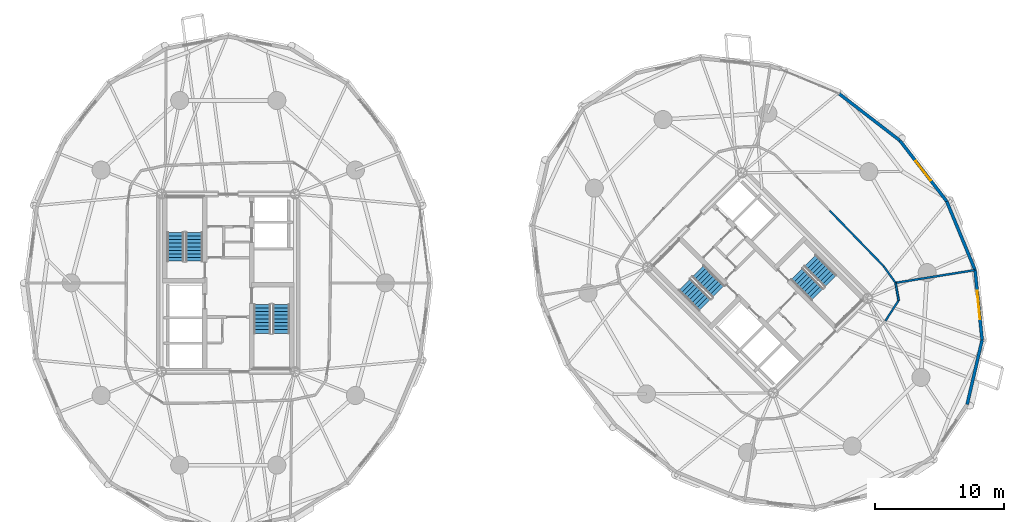
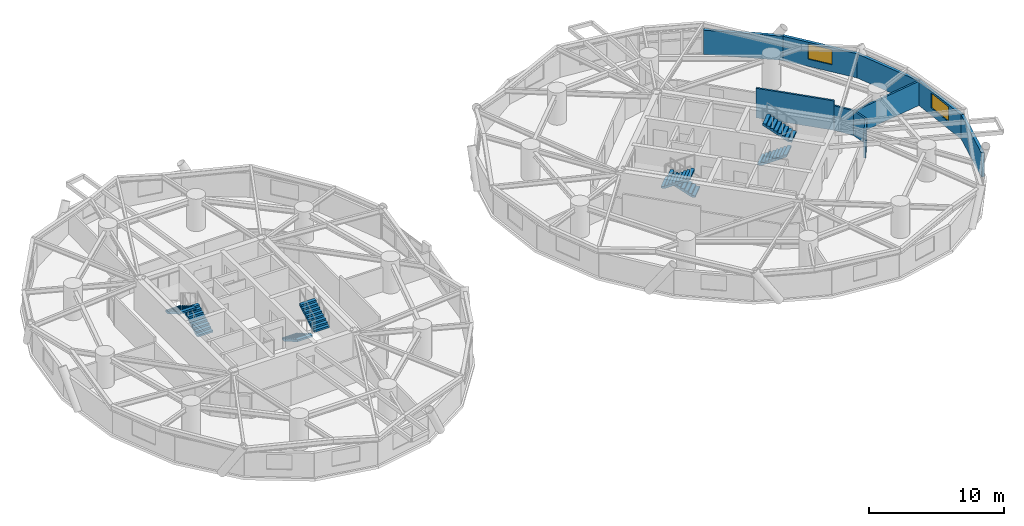
# One storey, part 14 of 16: 10 walls, 8 stair flights, 2 windows, 2 openings, 4 elements without a shape of their own.
"""IFC4 building model written with IfcOpenShell, lengths in metres."""

import ifcopenshell
import ifcopenshell.guid

model = None  # the IFC model being written
_history = None  # IfcOwnerHistory: only IFC2X3 demands one
_inside = {}  # id of a spatial element -> (the spatial element, [elements in it])
_under = {}  # id of a project, library or spatial element -> (it, [spatial elements below it])
_declared = {}  # id of a project -> (the project, [libraries it declares])
_typed = {}  # id of a type object -> (the type object, [elements of that type])
_made_of = {}  # id of a material, layer set ... -> (it, [elements and type objects made of it])


def new_model(schema):
    """Start an empty IFC model of exactly this schema.

    Asked for "IFC4X3", IfcOpenShell would pick the latest addendum, in which some entities
    have other attributes; the version numbers below select the first issue.
    IFC2X3 requires an IfcOwnerHistory on every rooted entity: one is made here for all.
    """
    global model, _history
    if schema == "IFC4X3":
        model = ifcopenshell.file(schema_version=(4, 3, 0, 0))
    else:
        model = ifcopenshell.file(schema=schema)
    _inside.clear()
    _under.clear()
    _declared.clear()
    _typed.clear()
    _made_of.clear()
    _history = None
    if model.schema == "IFC2X3":
        org = make("IfcOrganization", Name="unknown")
        user = make(
            "IfcPersonAndOrganization",
            ThePerson=make("IfcPerson", FamilyName="unknown"),
            TheOrganization=org,
        )
        app = make(
            "IfcApplication",
            ApplicationDeveloper=org,
            Version="unknown",
            ApplicationFullName="unknown",
            ApplicationIdentifier="unknown",
        )
        _history = make(
            "IfcOwnerHistory",
            OwningUser=user,
            OwningApplication=app,
            ChangeAction="ADDED",
            CreationDate=0,
        )
    return model


def make(cls, **values):
    """One entity of the class cls with the attributes given. An attribute that is None is left unset."""
    return model.create_entity(
        cls, **{name: value for name, value in values.items() if value is not None}
    )


def rooted(cls, **values):
    """An entity with a GlobalId (a new one), such as an element, a storey or a relation."""
    return make(cls, GlobalId=ifcopenshell.guid.new(), OwnerHistory=_history, **values)


def si_unit(unit_type, name, prefix=None):
    """IfcSIUnit, for example si_unit("LENGTHUNIT", "METRE", prefix="MILLI")."""
    return make("IfcSIUnit", UnitType=unit_type, Prefix=prefix, Name=name)


def assignment(units):
    """IfcUnitAssignment: the units of a project."""
    return None if units is None else make("IfcUnitAssignment", Units=units)


def point(xyz):
    """IfcCartesianPoint."""
    return None if xyz is None else make("IfcCartesianPoint", Coordinates=xyz)


def direction(xyz):
    """IfcDirection."""
    return None if xyz is None else make("IfcDirection", DirectionRatios=xyz)


def frame(location, z_axis=None, x_axis=None):
    """IfcAxis2Placement3D, a coordinate frame: its origin and axes. An axis left out is left unset."""
    return make(
        "IfcAxis2Placement3D",
        Location=point(location),
        Axis=direction(z_axis),
        RefDirection=direction(x_axis),
    )


def frame_2d(location, x_axis=None):
    """IfcAxis2Placement2D, a coordinate frame in the plane: its origin and x axis."""
    return make(
        "IfcAxis2Placement2D", Location=point(location), RefDirection=direction(x_axis)
    )


def origin():
    """The frame at (0, 0, 0) with its axes left unset."""
    return frame((0.0, 0.0, 0.0))


def place(relative_to, where):
    """IfcLocalPlacement: puts the frame where relative to a parent placement (None: the world)."""
    return make(
        "IfcLocalPlacement", PlacementRelTo=relative_to, RelativePlacement=where
    )


def context(
    kind, dimensions, precision=None, world=None, true_north=None, identifier=None
):
    """IfcGeometricRepresentationContext, for example the 3D "Model" context."""
    return make(
        "IfcGeometricRepresentationContext",
        ContextIdentifier=identifier,
        ContextType=kind,
        CoordinateSpaceDimension=dimensions,
        Precision=precision,
        WorldCoordinateSystem=world,
        TrueNorth=true_north,
    )


def subcontext(parent, identifier, kind, view, scale=None):
    """IfcGeometricRepresentationSubContext, for example "Body" below "Model"."""
    return make(
        "IfcGeometricRepresentationSubContext",
        ContextIdentifier=identifier,
        ContextType=kind,
        ParentContext=parent,
        TargetScale=scale,
        TargetView=view,
    )


def project(units=None, contexts=None):
    """IfcProject with its units and contexts."""
    return rooted(
        "IfcProject",
        Name="project",
        RepresentationContexts=contexts,
        UnitsInContext=assignment(units),
    )


def spatial(cls, under=None, at=None, **own):
    """A site, building, storey or space (cls), placed at a placement, below another one or the project."""
    s = rooted(cls, ObjectPlacement=at, **own)
    if under is not None:
        _under.setdefault(under.id(), (under, []))[1].append(s)
    return s


def polyline(points):
    """IfcPolyline through the points."""
    return make("IfcPolyline", Points=[point(p) for p in points])


def profile(cls, at=None, kind="AREA", **sizes):
    """A parametric profile (cls). Its sizes go by their IFC names, for example OverallWidth=200.0."""
    return make(cls, ProfileType=kind, Position=at, **sizes)


def rectangle(**sizes):
    """IfcRectangleProfileDef."""
    return profile("IfcRectangleProfileDef", **sizes)


def outline(outer, holes=None, kind="AREA"):
    """IfcArbitraryClosedProfileDef: a profile drawn as a closed curve; with holes, ...WithVoids."""
    if holes is None:
        return make("IfcArbitraryClosedProfileDef", ProfileType=kind, OuterCurve=outer)
    return make(
        "IfcArbitraryProfileDefWithVoids",
        ProfileType=kind,
        OuterCurve=outer,
        InnerCurves=holes,
    )


def extrude(swept, where, along, depth):
    """IfcExtrudedAreaSolid: the profile swept, set in the frame where, extruded along a direction by depth."""
    return make(
        "IfcExtrudedAreaSolid",
        SweptArea=swept,
        Position=where,
        ExtrudedDirection=direction(along),
        Depth=depth,
    )


def shape(context_of_items, identifier, shape_type, items):
    """IfcShapeRepresentation: the items that make up one representation, for example the "Body"."""
    return make(
        "IfcShapeRepresentation",
        ContextOfItems=context_of_items,
        RepresentationIdentifier=identifier,
        RepresentationType=shape_type,
        Items=items,
    )


def source(mapping_origin, context_of_items, identifier, shape_type, items):
    """IfcRepresentationMap: a shape defined once, which mapped items show again and again."""
    return make(
        "IfcRepresentationMap",
        MappingOrigin=mapping_origin,
        MappedRepresentation=shape(context_of_items, identifier, shape_type, items),
    )


def transform(
    local_origin,
    x_axis=None,
    y_axis=None,
    z_axis=None,
    scale=None,
    scale2=None,
    scale3=None,
    uniform=True,
):
    """IfcCartesianTransformationOperator3D, or its non-uniform kind. x_axis, y_axis, z_axis: its Axis1, 2, 3."""
    if uniform:
        return make(
            "IfcCartesianTransformationOperator3D",
            Axis1=direction(x_axis),
            Axis2=direction(y_axis),
            LocalOrigin=point(local_origin),
            Scale=scale,
            Axis3=direction(z_axis),
        )
    return make(
        "IfcCartesianTransformationOperator3DnonUniform",
        Axis1=direction(x_axis),
        Axis2=direction(y_axis),
        LocalOrigin=point(local_origin),
        Scale=scale,
        Axis3=direction(z_axis),
        Scale2=scale2,
        Scale3=scale3,
    )


def mapped(mapping_source, mapping_target):
    """IfcMappedItem: shows the shape of a source again, moved by a transform."""
    return make(
        "IfcMappedItem", MappingSource=mapping_source, MappingTarget=mapping_target
    )


def material(Name=None, Category=None):
    """IfcMaterial."""
    return make("IfcMaterial", Name=Name, Category=Category)


def layer(
    of_material, thickness, ventilated=None, Name=None, Category=None, Priority=None
):
    """IfcMaterialLayer: one layer of a wall or slab, of a material (None: an air gap)."""
    return make(
        "IfcMaterialLayer",
        Material=of_material,
        LayerThickness=thickness,
        IsVentilated=ventilated,
        Name=Name,
        Category=Category,
        Priority=Priority,
    )


def layer_set(layers, Name=None):
    """IfcMaterialLayerSet."""
    return make("IfcMaterialLayerSet", MaterialLayers=layers, LayerSetName=Name)


def made_of(thing, what):
    """Note that an element or type object is made of a material, layer set ...; save() writes the relation."""
    if what is not None:
        _made_of.setdefault(what.id(), (what, []))[1].append(thing)
    return thing


def type_object(cls, material=None, **own):
    """A type object (cls), such as IfcWallType, which elements share."""
    return made_of(rooted(cls, **own), material)


def element(
    cls,
    number,
    at=None,
    inside=None,
    cuts=None,
    type_object=None,
    material=None,
    context=None,
    identifier="Body",
    shape_type=None,
    held_by="IfcProductDefinitionShape",
    body=None,
    shapes=None,
    **own,
):
    """One element of the class cls, such as IfcWall. Its Tag is "e" and its number.

    at: its placement. inside: the storey or other place that contains it. cuts: it is an
    opening in that element (IfcRelVoidsElement). A single representation is given by context,
    identifier, shape_type and body (its items); several are given by shapes. held_by: the class
    of the entity that holds the representations. save() writes the other relations.
    """
    e = rooted(cls, Tag="e%d" % number, ObjectPlacement=at, **own)
    if body is not None:
        shapes = [shape(context, identifier, shape_type, body)]
    if shapes is not None:
        e.Representation = make(held_by, Representations=shapes)
    if inside is not None:
        _inside.setdefault(inside.id(), (inside, []))[1].append(e)
    if cuts is not None:
        rooted(
            "IfcRelVoidsElement", RelatingBuildingElement=cuts, RelatedOpeningElement=e
        )
    if type_object is not None:
        _typed.setdefault(type_object.id(), (type_object, []))[1].append(e)
    return made_of(e, material)


def fill(opening, filler):
    """IfcRelFillsElement: the door or window that sits in an opening."""
    return rooted(
        "IfcRelFillsElement",
        RelatingOpeningElement=opening,
        RelatedBuildingElement=filler,
    )


def aggregate(whole, parts):
    """IfcRelAggregates: a whole, such as a stair, and the parts it consists of."""
    return rooted("IfcRelAggregates", RelatingObject=whole, RelatedObjects=parts)


def save(model, path):
    """Write the relations noted so far, then the file.

    IfcRelAggregates (storeys below a building ...), IfcRelContainedInSpatialStructure (elements
    in a storey), IfcRelDefinesByType, IfcRelAssociatesMaterial and IfcRelDeclares: one each for
    every whole, place, type object, material and project.
    """
    for whole, parts in _under.values():
        aggregate(whole, parts)
    for where, things in _inside.values():
        rooted(
            "IfcRelContainedInSpatialStructure",
            RelatedElements=things,
            RelatingStructure=where,
        )
    for kind, things in _typed.values():
        rooted("IfcRelDefinesByType", RelatedObjects=things, RelatingType=kind)
    for what, things in _made_of.values():
        rooted("IfcRelAssociatesMaterial", RelatedObjects=things, RelatingMaterial=what)
    for by, libraries in _declared.values():
        rooted("IfcRelDeclares", RelatingContext=by, RelatedDefinitions=libraries)
    model.write(path)


model = new_model("IFC4")

# Units and contexts
model_context = context("Model", 3, precision=1e-05, world=origin(), true_north=direction((0.0, 1.0)))
body_context = subcontext(model_context, "Body", "Model", "MODEL_VIEW")
ifc_project = project(units=[si_unit("LENGTHUNIT", "METRE"), si_unit("AREAUNIT", "SQUARE_METRE"), si_unit("VOLUMEUNIT", "CUBIC_METRE"), si_unit("PLANEANGLEUNIT", "RADIAN"), si_unit("MASSUNIT", "GRAM", prefix="KILO")], contexts=[model_context])

# Site, building, storey
site_placement = place(None, origin())
site = spatial("IfcSite", under=ifc_project, at=site_placement, CompositionType="ELEMENT")
building_placement = place(site_placement, origin())
building = spatial("IfcBuilding", under=site, at=building_placement, Name="Cununo Teusaquillo Station Towers", CompositionType="ELEMENT")
storey_placement = place(building_placement, frame((0.0, 0.0, 73.06005859375)))
storey = spatial("IfcBuildingStorey", under=building, at=storey_placement, Name="L22", CompositionType="ELEMENT", Elevation=73.06005859375)

# Walls
ifc_material_1 = material(Name="Precast concrete C40/50", Category="concrete")
ifc_layer_1 = layer(ifc_material_1, 0.239990234375)
ifc_layer_set_1 = layer_set([ifc_layer_1], Name="Precast concrete C40/50")
wall_type_1 = type_object("IfcWallType", Name="WL-EXT-240", PredefinedType="SOLIDWALL", material=ifc_layer_set_1)
wall_1_placement = place(storey_placement, frame((63.811279296875, 39.145263671875, 0.0), z_axis=(0.0, 0.0, 1.0), x_axis=(0.791982052206, -0.61054437102, 0.0)))
element("IfcWall", 1, at=wall_1_placement, inside=storey, type_object=wall_type_1, Name="L22 Tower B Exterior Facade Wall C00", PredefinedType="SOLIDWALL", context=body_context, shape_type="SweptSolid", body=[
    extrude(rectangle(XDim=5.942138671875, YDim=0.239990234375, at=frame_2d((2.97119140625, 0.0))), origin(), (0.0, 0.0, 1.0), 2.178955078125),
])
wall_2_placement = place(storey_placement, frame((74.885009765625, 20.066650390625, 0.0), z_axis=(0.0, 0.0, 1.0), x_axis=(-0.225834725257, -0.974165631126, 0.0)))
element("IfcWall", 2, at=wall_2_placement, inside=storey, type_object=wall_type_1, Name="L22 Tower B Exterior Facade Wall C16", PredefinedType="SOLIDWALL", context=body_context, shape_type="SweptSolid", body=[
    extrude(rectangle(XDim=5.118896484375, YDim=0.239990234375, at=frame_2d((2.5595703125, 0.0))), origin(), (0.0, 0.0, 1.0), 2.178955078125),
])

# Wall, opening, window
wall_3_placement = place(storey_placement, frame((74.33935546875, 25.4873046875, 0.0), z_axis=(0.0, 0.0, 1.0), x_axis=(0.10015591906, -0.994971754311, 0.0)))
wall_3 = element("IfcWall", 3, at=wall_3_placement, inside=storey, type_object=wall_type_1, Name="L22 Tower B Exterior Facade Wall C17", PredefinedType="SOLIDWALL", context=body_context, shape_type="SweptSolid", body=[
    extrude(rectangle(XDim=5.447998046875, YDim=0.239990234375, at=frame_2d((2.72412109375, 0.0))), origin(), (0.0, 0.0, 1.0), 2.178955078125),
])
shared_shape_1 = source(origin(), body_context, "Body", "SweptSolid", [
    extrude(rectangle(XDim=2.199951171875, YDim=1.35009765625, at=frame_2d((1.10009765625, 0.675048828125))), frame((0.0, 0.1298828125, 0.0), z_axis=(0.0, -1.0, 0.0), x_axis=(1.0, 0.0, 0.0)), (0.0, 0.0, 1.0), 0.260009765625),
])
opening_1_placement = place(wall_3_placement, frame((1.6240234375, 0.0, 0.64990234375)))
opening_1 = element("IfcOpeningElement", 4, at=opening_1_placement, cuts=wall_3, Name="Opening WN-01", PredefinedType="OPENING", context=body_context, shape_type="MappedRepresentation", body=[
    mapped(shared_shape_1, transform((0.0, 0.0, 0.0), x_axis=(1.0, 0.0, 0.0), y_axis=(0.0, 1.0, 0.0), z_axis=(0.0, 0.0, 1.0), scale=1.0)),
])
ifc_material_2 = material(Name="Ceramic-fritted dark low-E double glazing", Category="glass")
window_type_1 = type_object("IfcWindowType", Name="WIN-FRIT-2200", PartitioningType="DOUBLE_PANEL_VERTICAL", PredefinedType="WINDOW", material=ifc_material_2)
shared_shape_2 = source(origin(), body_context, "Body", "SweptSolid", [
    extrude(rectangle(XDim=2.199951171875, YDim=1.35009765625, at=frame_2d((1.10009765625, 0.675048828125))), frame((0.0, 0.030029296875, 0.0), z_axis=(0.0, -1.0, 0.0), x_axis=(1.0, 0.0, 0.0)), (0.0, 0.0, 1.0), 0.06005859375),
])
window_1_placement = place(opening_1_placement, origin())
window_1 = element("IfcWindow", 5, at=window_1_placement, inside=storey, type_object=window_type_1, Name="L22 Tower B Facade Window C17", OverallHeight=1.35009765625, OverallWidth=2.199951171875, PartitioningType="DOUBLE_PANEL_VERTICAL", PredefinedType="WINDOW", context=body_context, shape_type="MappedRepresentation", body=[
    mapped(shared_shape_2, transform((0.0, 0.0, 0.0), x_axis=(1.0, 0.0, 0.0), y_axis=(0.0, 1.0, 0.0), z_axis=(0.0, 0.0, 1.0), scale=1.0)),
])
fill(opening_1, window_1)

# Wall
wall_4_placement = place(storey_placement, frame((72.145263671875, 30.811279296875, 0.0), z_axis=(0.0, 0.0, 1.0), x_axis=(0.381027003055, -0.924563909604, 0.0)))
element("IfcWall", 6, at=wall_4_placement, inside=storey, type_object=wall_type_1, Name="L22 Tower B Exterior Facade Wall C18", PredefinedType="SOLIDWALL", context=body_context, shape_type="SweptSolid", body=[
    extrude(rectangle(XDim=5.75830078125, YDim=0.239990234375, at=frame_2d((2.879150390625, 0.0))), origin(), (0.0, 0.0, 1.0), 2.178955078125),
])

# Wall, opening, window
wall_5_placement = place(storey_placement, frame((68.517333984375, 35.517333984375, 0.0), z_axis=(0.0, 0.0, 1.0), x_axis=(0.61054437102, -0.791982052206, 0.0)))
wall_5 = element("IfcWall", 7, at=wall_5_placement, inside=storey, type_object=wall_type_1, Name="L22 Tower B Exterior Facade Wall C19", PredefinedType="SOLIDWALL", context=body_context, shape_type="SweptSolid", body=[
    extrude(rectangle(XDim=5.942138671875, YDim=0.239990234375, at=frame_2d((2.97119140625, 0.0))), origin(), (0.0, 0.0, 1.0), 2.178955078125),
])
shared_shape_3 = source(origin(), body_context, "Body", "SweptSolid", [
    extrude(rectangle(XDim=1.89990234375, YDim=1.35009765625, at=frame_2d((0.949951171875, 0.675048828125))), frame((0.0, 0.1298828125, 0.0), z_axis=(0.0, -1.0, 0.0), x_axis=(1.0, 0.0, 0.0)), (0.0, 0.0, 1.0), 0.260009765625),
])
opening_2_placement = place(wall_5_placement, frame((2.02099609375, 0.0, 0.64990234375)))
opening_2 = element("IfcOpeningElement", 8, at=opening_2_placement, cuts=wall_5, Name="Opening WN-02", PredefinedType="OPENING", context=body_context, shape_type="MappedRepresentation", body=[
    mapped(shared_shape_3, transform((0.0, 0.0, 0.0), x_axis=(1.0, 0.0, 0.0), y_axis=(0.0, 1.0, 0.0), z_axis=(0.0, 0.0, 1.0), scale=1.0)),
])
ifc_material_3 = material(Name="Operable acoustic tinted low-E double glazing", Category="glass")
window_type_2 = type_object("IfcWindowType", Name="WIN-OPER-1900", PartitioningType="DOUBLE_PANEL_VERTICAL", PredefinedType="WINDOW", material=ifc_material_3)
shared_shape_4 = source(origin(), body_context, "Body", "SweptSolid", [
    extrude(rectangle(XDim=1.89990234375, YDim=1.35009765625, at=frame_2d((0.949951171875, 0.675048828125))), frame((0.0, 0.030029296875, 0.0), z_axis=(0.0, -1.0, 0.0), x_axis=(1.0, 0.0, 0.0)), (0.0, 0.0, 1.0), 0.06005859375),
])
window_2_placement = place(opening_2_placement, origin())
window_2 = element("IfcWindow", 9, at=window_2_placement, inside=storey, type_object=window_type_2, Name="L22 Tower B Facade Window C19", OverallHeight=1.35009765625, OverallWidth=1.89990234375, PartitioningType="DOUBLE_PANEL_VERTICAL", PredefinedType="WINDOW", context=body_context, shape_type="MappedRepresentation", body=[
    mapped(shared_shape_4, transform((0.0, 0.0, 0.0), x_axis=(1.0, 0.0, 0.0), y_axis=(0.0, 1.0, 0.0), z_axis=(0.0, 0.0, 1.0), scale=1.0)),
])
fill(opening_2, window_2)

# Walls
ifc_material_4 = material(Name="Fire-rated gypsum plasterboard partition assembly", Category="gypsum")
ifc_layer_2 = layer(ifc_material_4, 0.14990234375)
ifc_layer_set_2 = layer_set([ifc_layer_2], Name="Fire-rated gypsum plasterboard partition assembly")
wall_type_2 = type_object("IfcWallType", Name="WL-PART-150", PredefinedType="PARTITIONING", material=ifc_layer_set_2)
wall_6_placement = place(storey_placement, frame((67.39990234375, 21.556396484375, 0.0), z_axis=(0.0, 0.0, 1.0), x_axis=(0.542247692187, 0.840218686009, 0.0)))
element("IfcWall", 10, at=wall_6_placement, inside=storey, type_object=wall_type_2, Name="L22 Tower B Corridor Ring Wall C16", PredefinedType="PARTITIONING", context=body_context, shape_type="SweptSolid", body=[
    extrude(rectangle(XDim=1.886962890625, YDim=0.14990234375, at=frame_2d((0.943359375, 0.0))), origin(), (0.0, 0.0, 1.0), 2.224853515625),
])
wall_7_placement = place(storey_placement, frame((68.423095703125, 23.141845703125, 0.0), z_axis=(0.0, 0.0, 1.0), x_axis=(-0.174796562349, 0.984604571283, 0.0)))
element("IfcWall", 11, at=wall_7_placement, inside=storey, type_object=wall_type_2, Name="L22 Tower B Corridor Ring Wall C17", PredefinedType="PARTITIONING", context=body_context, shape_type="SweptSolid", body=[
    extrude(rectangle(XDim=1.377197265625, YDim=0.14990234375, at=frame_2d((0.6884765625, 0.0))), origin(), (0.0, 0.0, 1.0), 2.224853515625),
])
wall_8_placement = place(storey_placement, frame((68.182373046875, 24.497802734375, 0.0), z_axis=(0.0, 0.0, 1.0), x_axis=(-0.582532339525, 0.812807525437, 0.0)))
element("IfcWall", 12, at=wall_8_placement, inside=storey, type_object=wall_type_2, Name="L22 Tower B Corridor Ring Wall C18", PredefinedType="PARTITIONING", context=body_context, shape_type="SweptSolid", body=[
    extrude(rectangle(XDim=1.605224609375, YDim=0.14990234375, at=frame_2d((0.802734375, 0.0))), origin(), (0.0, 0.0, 1.0), 2.224853515625),
])
wall_9_placement = place(storey_placement, frame((67.247314453125, 25.802490234375, 0.0), z_axis=(0.0, 0.0, 1.0), x_axis=(-0.696771261687, 0.71729339108, 0.0)))
element("IfcWall", 13, at=wall_9_placement, inside=storey, type_object=wall_type_2, Name="L22 Tower B Corridor Ring Wall C19", PredefinedType="PARTITIONING", context=body_context, shape_type="SweptSolid", body=[
    extrude(rectangle(XDim=5.971923828125, YDim=0.14990234375, at=frame_2d((2.98583984375, 0.0))), origin(), (0.0, 0.0, 1.0), 2.655029296875),
])
ifc_material_5 = material(Name="Fire-rated gypsum plasterboard partition assembly", Category="gypsum")
ifc_layer_3 = layer(ifc_material_5, 0.159912109375)
ifc_layer_set_3 = layer_set([ifc_layer_3], Name="Fire-rated gypsum plasterboard partition assembly")
wall_type_3 = type_object("IfcWallType", Name="WL-PART-160", PredefinedType="PARTITIONING", material=ifc_layer_set_3)
wall_10_placement = place(storey_placement, frame((68.182373046875, 24.497802734375, 0.0), z_axis=(0.0, 0.0, 1.0), x_axis=(0.987330591038, 0.158676727973, 0.0)))
element("IfcWall", 14, at=wall_10_placement, inside=storey, type_object=wall_type_3, Name="L22 Tower B Radial Suite Partition R04", PredefinedType="PARTITIONING", context=body_context, shape_type="SweptSolid", body=[
    extrude(rectangle(XDim=6.216064453125, YDim=0.159912109375, at=frame_2d((3.10791015625, 0.0))), origin(), (0.0, 0.0, 1.0), 2.178955078125),
])

# Stair, stair flights
ifc_material_6 = material(Name="Concrete C50/60", Category="concrete")
stair_type = type_object("IfcStairType", Name="ST-TWR-1300", PredefinedType="HALF_TURN_STAIR", material=ifc_material_6)
stair_1_placement = place(storey_placement, origin())
stair_1 = element("IfcStair", 15, at=stair_1_placement, inside=storey, type_object=stair_type, Name="L22 Tower A Protected Core Exit Stair 1", PredefinedType="HALF_TURN_STAIR")
ifc_material_7 = material(Name="Concrete C50/60", Category="concrete")
stair_flight_type = type_object("IfcStairFlightType", Name="SFL-TWR-1300", PredefinedType="STRAIGHT", material=ifc_material_7)
stair_flight_1_placement = place(storey_placement, frame((13.8701171875, 26.169921875, 0.0), z_axis=(0.0, 0.0, 1.0), x_axis=(0.0, 1.0, 0.0)))
stair_flight_1 = element("IfcStairFlight", 16, at=stair_flight_1_placement, type_object=stair_flight_type, Name="ST-T1-1 flight 1", NumberOfRisers=9, NumberOfTreads=8, PredefinedType="STRAIGHT", RiserHeight=0.161666667, TreadLength=0.28, context=body_context, shape_type="SweptSolid", body=[
    extrude(outline(polyline([(0.0, 0.0), (0.0, 0.16162109375), (0.280029296875, 0.16162109375), (0.280029296875, 0.3232421875), (0.56005859375, 0.3232421875), (0.56005859375, 0.485107421875), (0.840087890625, 0.485107421875), (0.840087890625, 0.646728515625), (1.1201171875, 0.646728515625), (1.1201171875, 0.808349609375), (1.39990234375, 0.808349609375), (1.39990234375, 0.969970703125), (1.679931640625, 0.969970703125), (1.679931640625, 1.131591796875), (1.9599609375, 1.131591796875), (1.9599609375, 1.293212890625), (2.239990234375, 1.293212890625), (2.239990234375, 1.455078125), (2.239990234375, 1.1201171875), (0.2998046875, 0.0), (0.0, 0.0)])), frame((0.0, 0.64990234375, 0.0), z_axis=(0.0, -1.0, 0.0), x_axis=(1.0, 0.0, 0.0)), (0.0, 0.0, 1.0), 1.300048828125),
])
stair_flight_2_placement = place(storey_placement, frame((12.409912109375, 28.409912109375, 1.454833984375), z_axis=(0.0, 0.0, 1.0), x_axis=(0.0, -1.0, 0.0)))
stair_flight_2 = element("IfcStairFlight", 17, at=stair_flight_2_placement, type_object=stair_flight_type, Name="ST-T1-1 flight 2", NumberOfRisers=9, NumberOfTreads=8, PredefinedType="STRAIGHT", RiserHeight=0.161666667, TreadLength=0.28, context=body_context, shape_type="SweptSolid", body=[
    extrude(outline(polyline([(0.0, 0.0), (0.0, 0.16162109375), (0.280029296875, 0.16162109375), (0.280029296875, 0.3232421875), (0.56005859375, 0.3232421875), (0.56005859375, 0.485107421875), (0.840087890625, 0.485107421875), (0.840087890625, 0.646728515625), (1.1201171875, 0.646728515625), (1.1201171875, 0.808349609375), (1.39990234375, 0.808349609375), (1.39990234375, 0.969970703125), (1.679931640625, 0.969970703125), (1.679931640625, 1.131591796875), (1.9599609375, 1.131591796875), (1.9599609375, 1.293212890625), (2.239990234375, 1.293212890625), (2.239990234375, 1.455078125), (2.239990234375, 1.1201171875), (0.2998046875, 0.0), (0.0, 0.0)])), frame((0.0, 0.64990234375, 0.0), z_axis=(0.0, -1.0, 0.0), x_axis=(1.0, 0.0, 0.0)), (0.0, 0.0, 1.0), 1.300048828125),
])
aggregate(stair_1, [stair_flight_1, stair_flight_2])

stair_2_placement = place(storey_placement, origin())
stair_2 = element("IfcStair", 18, at=stair_2_placement, inside=storey, type_object=stair_type, Name="L22 Tower A Protected Core Exit Stair 2", PredefinedType="HALF_TURN_STAIR")
stair_flight_3_placement = place(storey_placement, frame((19.1298828125, 22.830078125, 0.0), z_axis=(0.0, 0.0, 1.0), x_axis=(0.0, -1.0, 0.0)))
stair_flight_3 = element("IfcStairFlight", 19, at=stair_flight_3_placement, type_object=stair_flight_type, Name="ST-T1-2 flight 1", NumberOfRisers=9, NumberOfTreads=8, PredefinedType="STRAIGHT", RiserHeight=0.161666667, TreadLength=0.28, context=body_context, shape_type="SweptSolid", body=[
    extrude(outline(polyline([(0.0, 0.0), (0.0, 0.16162109375), (0.280029296875, 0.16162109375), (0.280029296875, 0.3232421875), (0.56005859375, 0.3232421875), (0.56005859375, 0.485107421875), (0.840087890625, 0.485107421875), (0.840087890625, 0.646728515625), (1.1201171875, 0.646728515625), (1.1201171875, 0.808349609375), (1.39990234375, 0.808349609375), (1.39990234375, 0.969970703125), (1.679931640625, 0.969970703125), (1.679931640625, 1.131591796875), (1.9599609375, 1.131591796875), (1.9599609375, 1.293212890625), (2.239990234375, 1.293212890625), (2.239990234375, 1.455078125), (2.239990234375, 1.1201171875), (0.2998046875, 0.0), (0.0, 0.0)])), frame((0.0, 0.64990234375, 0.0), z_axis=(0.0, -1.0, 0.0), x_axis=(1.0, 0.0, 0.0)), (0.0, 0.0, 1.0), 1.300048828125),
])
stair_flight_4_placement = place(storey_placement, frame((20.590087890625, 20.590087890625, 1.454833984375), z_axis=(0.0, 0.0, 1.0), x_axis=(0.0, 1.0, 0.0)))
stair_flight_4 = element("IfcStairFlight", 20, at=stair_flight_4_placement, type_object=stair_flight_type, Name="ST-T1-2 flight 2", NumberOfRisers=9, NumberOfTreads=8, PredefinedType="STRAIGHT", RiserHeight=0.161666667, TreadLength=0.28, context=body_context, shape_type="SweptSolid", body=[
    extrude(outline(polyline([(0.0, 0.0), (0.0, 0.16162109375), (0.280029296875, 0.16162109375), (0.280029296875, 0.3232421875), (0.56005859375, 0.3232421875), (0.56005859375, 0.485107421875), (0.840087890625, 0.485107421875), (0.840087890625, 0.646728515625), (1.1201171875, 0.646728515625), (1.1201171875, 0.808349609375), (1.39990234375, 0.808349609375), (1.39990234375, 0.969970703125), (1.679931640625, 0.969970703125), (1.679931640625, 1.131591796875), (1.9599609375, 1.131591796875), (1.9599609375, 1.293212890625), (2.239990234375, 1.293212890625), (2.239990234375, 1.455078125), (2.239990234375, 1.1201171875), (0.2998046875, 0.0), (0.0, 0.0)])), frame((0.0, 0.64990234375, 0.0), z_axis=(0.0, -1.0, 0.0), x_axis=(1.0, 0.0, 0.0)), (0.0, 0.0, 1.0), 1.300048828125),
])
aggregate(stair_2, [stair_flight_3, stair_flight_4])

stair_3_placement = place(storey_placement, origin())
stair_3 = element("IfcStair", 21, at=stair_3_placement, inside=storey, type_object=stair_type, Name="L22 Tower B Protected Core Exit Stair 1", PredefinedType="HALF_TURN_STAIR")
stair_flight_5_placement = place(storey_placement, frame((54.45947265625, 23.8212890625, 0.0), z_axis=(0.0, 0.0, 1.0), x_axis=(-0.707106781187, 0.707106781187, 0.0)))
stair_flight_5 = element("IfcStairFlight", 22, at=stair_flight_5_placement, type_object=stair_flight_type, Name="ST-T2-1 flight 1", NumberOfRisers=9, NumberOfTreads=8, PredefinedType="STRAIGHT", RiserHeight=0.161666667, TreadLength=0.28, context=body_context, shape_type="SweptSolid", body=[
    extrude(outline(polyline([(0.0, 0.0), (0.0, 0.16162109375), (0.280029296875, 0.16162109375), (0.280029296875, 0.3232421875), (0.56005859375, 0.3232421875), (0.56005859375, 0.485107421875), (0.840087890625, 0.485107421875), (0.840087890625, 0.646728515625), (1.1201171875, 0.646728515625), (1.1201171875, 0.808349609375), (1.39990234375, 0.808349609375), (1.39990234375, 0.969970703125), (1.679931640625, 0.969970703125), (1.679931640625, 1.131591796875), (1.9599609375, 1.131591796875), (1.9599609375, 1.293212890625), (2.239990234375, 1.293212890625), (2.239990234375, 1.455078125), (2.239990234375, 1.1201171875), (0.2998046875, 0.0), (0.0, 0.0)])), frame((0.0, 0.64990234375, 0.0), z_axis=(0.0, -1.0, 0.0), x_axis=(1.0, 0.0, 0.0)), (0.0, 0.0, 1.0), 1.300048828125),
])
stair_flight_6_placement = place(storey_placement, frame((51.84326171875, 24.372802734375, 1.454833984375), z_axis=(0.0, 0.0, 1.0), x_axis=(0.707106781187, -0.707106781187, 0.0)))
stair_flight_6 = element("IfcStairFlight", 23, at=stair_flight_6_placement, type_object=stair_flight_type, Name="ST-T2-1 flight 2", NumberOfRisers=9, NumberOfTreads=8, PredefinedType="STRAIGHT", RiserHeight=0.161666667, TreadLength=0.28, context=body_context, shape_type="SweptSolid", body=[
    extrude(outline(polyline([(0.0, 0.0), (0.0, 0.16162109375), (0.280029296875, 0.16162109375), (0.280029296875, 0.3232421875), (0.56005859375, 0.3232421875), (0.56005859375, 0.485107421875), (0.840087890625, 0.485107421875), (0.840087890625, 0.646728515625), (1.1201171875, 0.646728515625), (1.1201171875, 0.808349609375), (1.39990234375, 0.808349609375), (1.39990234375, 0.969970703125), (1.679931640625, 0.969970703125), (1.679931640625, 1.131591796875), (1.9599609375, 1.131591796875), (1.9599609375, 1.293212890625), (2.239990234375, 1.293212890625), (2.239990234375, 1.455078125), (2.239990234375, 1.1201171875), (0.2998046875, 0.0), (0.0, 0.0)])), frame((0.0, 0.64990234375, 0.0), z_axis=(0.0, -1.0, 0.0), x_axis=(1.0, 0.0, 0.0)), (0.0, 0.0, 1.0), 1.300048828125),
])
aggregate(stair_3, [stair_flight_5, stair_flight_6])

stair_4_placement = place(storey_placement, origin())
stair_4 = element("IfcStair", 24, at=stair_4_placement, inside=storey, type_object=stair_type, Name="L22 Tower B Protected Core Exit Stair 2", PredefinedType="HALF_TURN_STAIR")
stair_flight_7_placement = place(storey_placement, frame((60.54052734375, 25.1787109375, 0.0), z_axis=(0.0, 0.0, 1.0), x_axis=(0.707106781187, -0.707106781187, 0.0)))
stair_flight_7 = element("IfcStairFlight", 25, at=stair_flight_7_placement, type_object=stair_flight_type, Name="ST-T2-2 flight 1", NumberOfRisers=9, NumberOfTreads=8, PredefinedType="STRAIGHT", RiserHeight=0.161666667, TreadLength=0.28, context=body_context, shape_type="SweptSolid", body=[
    extrude(outline(polyline([(0.0, 0.0), (0.0, 0.16162109375), (0.280029296875, 0.16162109375), (0.280029296875, 0.3232421875), (0.56005859375, 0.3232421875), (0.56005859375, 0.485107421875), (0.840087890625, 0.485107421875), (0.840087890625, 0.646728515625), (1.1201171875, 0.646728515625), (1.1201171875, 0.808349609375), (1.39990234375, 0.808349609375), (1.39990234375, 0.969970703125), (1.679931640625, 0.969970703125), (1.679931640625, 1.131591796875), (1.9599609375, 1.131591796875), (1.9599609375, 1.293212890625), (2.239990234375, 1.293212890625), (2.239990234375, 1.455078125), (2.239990234375, 1.1201171875), (0.2998046875, 0.0), (0.0, 0.0)])), frame((0.0, 0.64990234375, 0.0), z_axis=(0.0, -1.0, 0.0), x_axis=(1.0, 0.0, 0.0)), (0.0, 0.0, 1.0), 1.300048828125),
])
stair_flight_8_placement = place(storey_placement, frame((63.15673828125, 24.627197265625, 1.454833984375), z_axis=(0.0, 0.0, 1.0), x_axis=(-0.707106781187, 0.707106781187, 0.0)))
stair_flight_8 = element("IfcStairFlight", 26, at=stair_flight_8_placement, type_object=stair_flight_type, Name="ST-T2-2 flight 2", NumberOfRisers=9, NumberOfTreads=8, PredefinedType="STRAIGHT", RiserHeight=0.161666667, TreadLength=0.28, context=body_context, shape_type="SweptSolid", body=[
    extrude(outline(polyline([(0.0, 0.0), (0.0, 0.16162109375), (0.280029296875, 0.16162109375), (0.280029296875, 0.3232421875), (0.56005859375, 0.3232421875), (0.56005859375, 0.485107421875), (0.840087890625, 0.485107421875), (0.840087890625, 0.646728515625), (1.1201171875, 0.646728515625), (1.1201171875, 0.808349609375), (1.39990234375, 0.808349609375), (1.39990234375, 0.969970703125), (1.679931640625, 0.969970703125), (1.679931640625, 1.131591796875), (1.9599609375, 1.131591796875), (1.9599609375, 1.293212890625), (2.239990234375, 1.293212890625), (2.239990234375, 1.455078125), (2.239990234375, 1.1201171875), (0.2998046875, 0.0), (0.0, 0.0)])), frame((0.0, 0.64990234375, 0.0), z_axis=(0.0, -1.0, 0.0), x_axis=(1.0, 0.0, 0.0)), (0.0, 0.0, 1.0), 1.300048828125),
])
aggregate(stair_4, [stair_flight_7, stair_flight_8])

save(model, "model.ifc")
